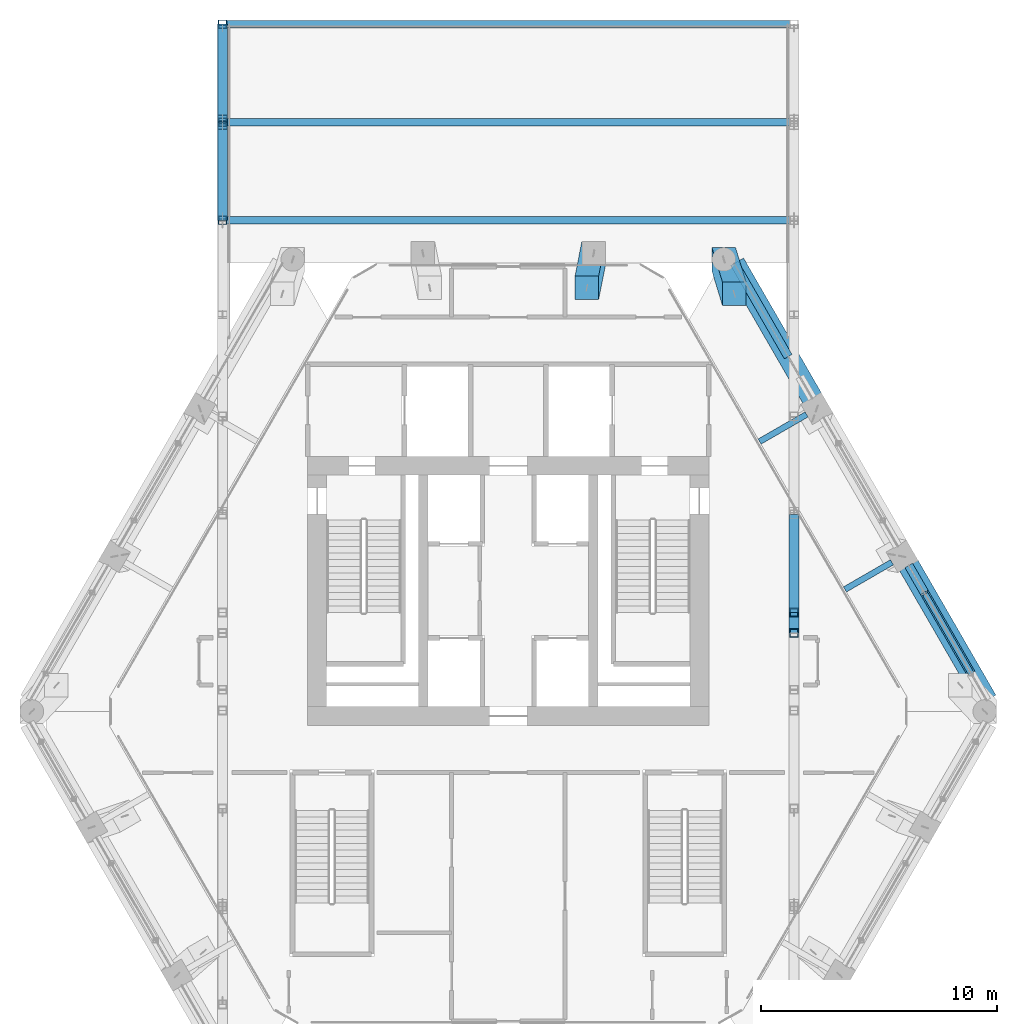
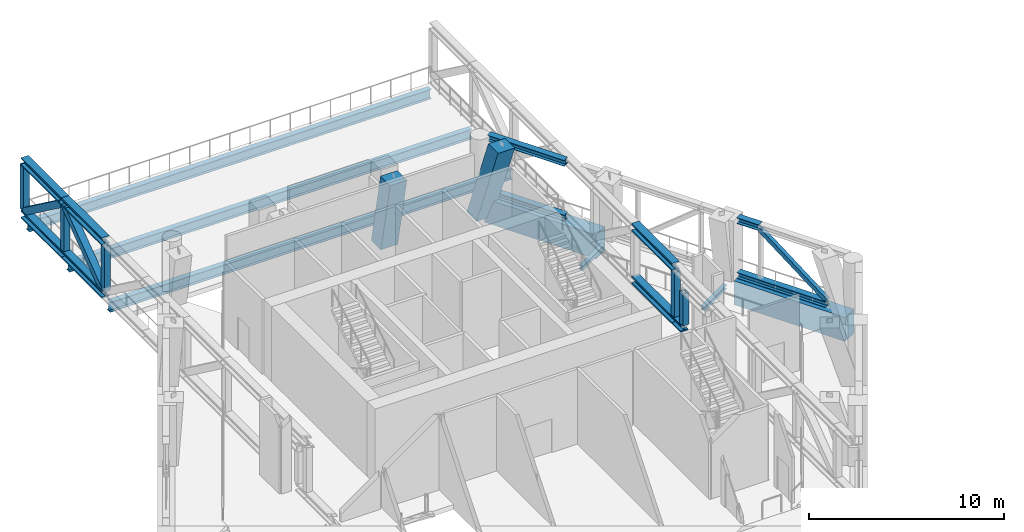
# One storey, part 7 of 22: 21 members, 7 beams.
"""IFC4 building model written with IfcOpenShell, lengths in metres."""

from ifc_helpers import new_model, si_unit, direction, frame, origin, origin_2d, place, context, subcontext, project, spatial, rectangle, hollow_rectangle, i_section, extrude, material, material_profile, profile_set, type_object, element, save


model = new_model("IFC4")

# Units and contexts
model_context = context("Model", 3, precision=1e-05, world=origin(), true_north=direction((0.0, 1.0)))
body_context = subcontext(model_context, "Body", "Model", "MODEL_VIEW")
ifc_project = project(units=[si_unit("LENGTHUNIT", "METRE"), si_unit("AREAUNIT", "SQUARE_METRE"), si_unit("VOLUMEUNIT", "CUBIC_METRE"), si_unit("PLANEANGLEUNIT", "RADIAN"), si_unit("MASSUNIT", "GRAM", prefix="KILO")], contexts=[model_context])

# Site, building, storey
site_placement = place(None, origin())
site = spatial("IfcSite", under=ifc_project, at=site_placement, CompositionType="ELEMENT")
building_placement = place(site_placement, origin())
building = spatial("IfcBuilding", under=site, at=building_placement, Name="Ostrander Bayou Hotel Tower", CompositionType="ELEMENT")
storey_placement = place(building_placement, frame((0.0, 0.0, 209.5)))
storey = spatial("IfcBuildingStorey", under=building, at=storey_placement, Name="L52", CompositionType="ELEMENT", Elevation=209.5)

# Members
ifc_material_1 = material(Name="Steel ASTM A992", Category="steel")
ifc_material_profile_1 = material_profile(ifc_material_1, i_section(OverallWidth=0.37255859375, OverallDepth=0.36767578125, WebThickness=0.014892578125, FlangeThickness=0.02392578125, at=origin_2d()))
ifc_profile_set_1 = profile_set([ifc_material_profile_1], Name="Steel ASTM A992")
member_type_1 = type_object("IfcMemberType", Name="BT5 belt truss chord W14x120", PredefinedType="CHORD", material=ifc_profile_set_1)
member_1_placement = place(storey_placement, frame((19.614501953125, 0.501220703125, 0.183837890625), z_axis=(-0.500014360914, 0.866017112348, 0.0), x_axis=(-0.866017112348, -0.500014360914, 0.0)))
element("IfcMember", 1, at=member_1_placement, inside=storey, type_object=member_type_1, Name="BT5 L52 NE-1B2", PredefinedType="CHORD", context=body_context, shape_type="SweptSolid", body=[
    extrude(i_section(OverallWidth=0.37255859375, OverallDepth=0.36767578125, WebThickness=0.014892578125, FlangeThickness=0.02392578125, at=origin_2d()), origin(), (0.0, 0.0, 1.0), 5.284912109375),
])
member_2_placement = place(storey_placement, frame((17.632568359375, 3.93408203125, 3.6162109375), z_axis=(-0.500074377092, 0.865982457891, 0.0), x_axis=(-0.865982457891, -0.500074377092, 0.0)))
element("IfcMember", 2, at=member_2_placement, inside=storey, type_object=member_type_1, Name="BT5 L52 NE-1T2", PredefinedType="CHORD", context=body_context, shape_type="SweptSolid", body=[
    extrude(i_section(OverallWidth=0.37255859375, OverallDepth=0.36767578125, WebThickness=0.014892578125, FlangeThickness=0.02392578125, at=origin_2d()), origin(), (0.0, 0.0, 1.0), 1.321044921875),
])
for number, where, z_axis, x_axis, name in (
    (3, (11.864013671875, 13.92529296875, 0.183837890625), (-0.499997018584, 0.866027125099, 0.0), (-0.866027125099, -0.499997018584, 0.0), "BT5 L52 NE-3B2"),
    (4, (11.864013671875, 13.92529296875, 3.6162109375), (-0.499997018584, 0.866027125099, 0.0), (-0.866027125099, -0.499997018584, 0.0), "BT5 L52 NE-3T2"),
):
    element("IfcMember", number, at=place(storey_placement, frame(where, z_axis=z_axis, x_axis=x_axis)), inside=storey, type_object=member_type_1, Name=name, PredefinedType="CHORD", context=body_context, shape_type="SweptSolid", body=[
        extrude(i_section(OverallWidth=0.37255859375, OverallDepth=0.36767578125, WebThickness=0.014892578125, FlangeThickness=0.02392578125, at=origin_2d()), origin(), (0.0, 0.0, 1.0), 4.56689453125),
    ])
ifc_material_2 = material(Name="Steel ASTM A500 Gr C", Category="steel")
ifc_material_profile_2 = material_profile(ifc_material_2, hollow_rectangle(XDim=0.25390625, YDim=0.25390625, WallThickness=0.01171875, at=origin_2d()))
ifc_profile_set_2 = profile_set([ifc_material_profile_2], Name="Steel ASTM A500 Gr C")
member_type_2 = type_object("IfcMemberType", Name="BT6 belt truss diagonal HSS10x10x1/2", PredefinedType="BRACE", material=ifc_profile_set_2)
member_3_placement = place(storey_placement, frame((19.614501953125, 0.501220703125, 0.367919921875), z_axis=(-0.395580757831, 0.685176279362, 0.611595724506), x_axis=(-0.866028661061, -0.499994358189, 0.0)))
element("IfcMember", 5, at=member_3_placement, inside=storey, type_object=member_type_2, Name="BT6 L52 NE-1D", PredefinedType="BRACE", context=body_context, shape_type="SweptSolid", body=[
    extrude(hollow_rectangle(XDim=0.25390625, YDim=0.25390625, WallThickness=0.01171875, at=origin_2d()), origin(), (0.0, 0.0, 1.0), 5.01025390625),
])
ifc_material_3 = material(Name="Concrete f'c 60 MPa", Category="concrete")
ifc_material_profile_3 = material_profile(ifc_material_3, rectangle(XDim=1.0, YDim=1.0, at=origin_2d()))
ifc_profile_set_3 = profile_set([ifc_material_profile_3], Name="Concrete f'c 60 MPa")
member_type_3 = type_object("IfcMemberType", Name="KC3 kinked column 1000 x 1000 mm f'c 60 MPa", PredefinedType="STRUT", material=ifc_profile_set_3)
member_4_placement = place(storey_placement, frame((9.133544921875, 18.04541015625, -1.199951171875), z_axis=(0.0, 0.0, 1.0), x_axis=(1.0, 0.0, 0.0)))
element("IfcMember", 6, at=member_4_placement, inside=storey, type_object=member_type_3, Name="KC3 L52 K5", PredefinedType="STRUT", context=body_context, shape_type="SweptSolid", body=[
    extrude(rectangle(XDim=1.0, YDim=1.0, at=origin_2d()), origin(), (0.084917990459, -0.278715978587, 0.956611905726), 5.226806640625),
])
member_5_placement = place(storey_placement, frame((3.6181640625, 18.300048828125, -1.199951171875), z_axis=(0.0, 0.0, 1.0), x_axis=(1.0, 0.0, 0.0)))
element("IfcMember", 7, at=member_5_placement, inside=storey, type_object=member_type_3, Name="KC3 L52 N1", PredefinedType="STRUT", context=body_context, shape_type="SweptSolid", body=[
    extrude(rectangle(XDim=1.0, YDim=1.0, at=origin_2d()), origin(), (-0.05539287953, -0.278088175427, 0.958957035317), 5.214111328125),
])

# Beams
ifc_material_4 = material(Name="Steel ASTM A992", Category="steel")
ifc_material_profile_4 = material_profile(ifc_material_4, i_section(OverallWidth=0.25390625, OverallDepth=0.25341796875, WebThickness=0.008544921875, FlangeThickness=0.01416015625, at=origin_2d()))
ifc_profile_set_4 = profile_set([ifc_material_profile_4], Name="Steel ASTM A992")
beam_type_1 = type_object("IfcBeamType", Name="LB2 loggia bracket W10x49", PredefinedType="BEAM", material=ifc_profile_set_4)
beam_1_placement = place(storey_placement, frame((16.260498046875, 5.210205078125, -0.4267578125), z_axis=(-0.86602648383, -0.499998129301, 0.0), x_axis=(0.499998129301, -0.86602648383, 0.0)))
element("IfcBeam", 8, at=beam_1_placement, inside=storey, type_object=beam_type_1, Name="LB2 L52 NE1", PredefinedType="BEAM", context=body_context, shape_type="SweptSolid", body=[
    extrude(i_section(OverallWidth=0.25390625, OverallDepth=0.25341796875, WebThickness=0.008544921875, FlangeThickness=0.01416015625, at=origin_2d()), origin(), (0.0, 0.0, 1.0), 2.2998046875),
])
beam_2_placement = place(storey_placement, frame((12.642578125, 11.476806640625, -0.4267578125), z_axis=(-0.866053019151, -0.499952165731, 0.0), x_axis=(0.499952165731, -0.866053019151, 0.0)))
element("IfcBeam", 9, at=beam_2_placement, inside=storey, type_object=beam_type_1, Name="LB2 L52 NE2", PredefinedType="BEAM", context=body_context, shape_type="SweptSolid", body=[
    extrude(i_section(OverallWidth=0.25390625, OverallDepth=0.25341796875, WebThickness=0.008544921875, FlangeThickness=0.01416015625, at=origin_2d()), origin(), (0.0, 0.0, 1.0), 2.300048828125),
])
ifc_material_5 = material(Name="Concrete f'c 60 MPa", Category="concrete")
ifc_material_profile_5 = material_profile(ifc_material_5, rectangle(XDim=0.89990234375, YDim=1.5, at=origin_2d()))
ifc_profile_set_5 = profile_set([ifc_material_profile_5], Name="Concrete f'c 60 MPa")
beam_type_2 = type_object("IfcBeamType", Name="SPB3 belt spandrel beam 900 x 1500 mm f'c 60 MPa", PredefinedType="SPANDREL", material=ifc_profile_set_5)
beam_3_placement = place(storey_placement, frame((20.275146484375, -0.64306640625, -0.75), z_axis=(-0.500010360262, 0.866019422202, 0.0), x_axis=(-0.866019422202, -0.500010360262, 0.0)))
element("IfcBeam", 10, at=beam_3_placement, inside=storey, type_object=beam_type_2, Name="SP3 L52 NE-1", PredefinedType="SPANDREL", context=body_context, shape_type="SweptSolid", body=[
    extrude(rectangle(XDim=0.89990234375, YDim=1.5, at=origin_2d()), origin(), (0.0, 0.0, 1.0), 6.606201171875),
])
beam_4_placement = place(storey_placement, frame((12.8837890625, 12.158935546875, -0.75), z_axis=(-0.499994358189, 0.866028661061, 0.0), x_axis=(-0.866028661061, -0.499994358189, 0.0)))
element("IfcBeam", 11, at=beam_4_placement, inside=storey, type_object=beam_type_2, Name="SP3 L52 NE-3", PredefinedType="SPANDREL", context=body_context, shape_type="SweptSolid", body=[
    extrude(rectangle(XDim=0.89990234375, YDim=1.5, at=origin_2d()), origin(), (0.0, 0.0, 1.0), 6.6064453125),
])
ifc_material_6 = material(Name="Steel ASTM A992", Category="steel")
ifc_material_profile_6 = material_profile(ifc_material_6, i_section(OverallWidth=0.32373046875, OverallDepth=0.611083984375, WebThickness=0.0126953125, FlangeThickness=0.01904296875, at=origin_2d()))
ifc_profile_set_6 = profile_set([ifc_material_profile_6], Name="Steel ASTM A992")
beam_type_3 = type_object("IfcBeamType", Name="TF2 bar floor beam W24x104", PredefinedType="BEAM", material=ifc_profile_set_6)
for number, where, z_axis, x_axis, name in (
    (12, (-11.93212890625, 28.01611328125, -0.605712890625), (1.0, 0.0, 0.0), (0.0, 1.0, 0.0), "TF2 SB4W L5-1"),
    (13, (-11.93212890625, 23.861328125, -0.605712890625), (1.0, 0.0, 0.0), (0.0, 1.0, 0.0), "TF2 SB4W L5-2"),
    (14, (-11.93212890625, 19.706787109375, -0.605712890625), (1.0, 0.0, 0.0), (0.0, 1.0, 0.0), "TF2 SB4W L5-3"),
):
    element("IfcBeam", number, at=place(storey_placement, frame(where, z_axis=z_axis, x_axis=x_axis)), inside=storey, type_object=beam_type_3, Name=name, PredefinedType="BEAM", context=body_context, shape_type="SweptSolid", body=[
        extrude(i_section(OverallWidth=0.32373046875, OverallDepth=0.611083984375, WebThickness=0.0126953125, FlangeThickness=0.01904296875, at=origin_2d()), origin(), (0.0, 0.0, 1.0), 23.8642578125),
    ])

# Members
ifc_material_7 = material(Name="Steel ASTM A992", Category="steel")
ifc_material_profile_7 = material_profile(ifc_material_7, i_section(OverallWidth=0.43212890625, OverallDepth=0.497802734375, WebThickness=0.0556640625, FlangeThickness=0.0888671875, at=origin_2d()))
ifc_profile_set_7 = profile_set([ifc_material_profile_7], Name="Steel ASTM A992")
member_type_4 = type_object("IfcMemberType", Name="TT1 through-truss chord W14x500", PredefinedType="CHORD", material=ifc_profile_set_7)
for number, where, z_axis, x_axis, name in (
    (15, (-12.110107421875, 28.01611328125, 0.248779296875), (0.0, -1.0, 0.0), (1.0, 0.0, 0.0), "TT1 SB4A B1"),
    (16, (-12.110107421875, 28.01611328125, 3.551025390625), (0.0, -1.0, 0.0), (1.0, 0.0, 0.0), "TT1 SB4A T1"),
):
    element("IfcMember", number, at=place(storey_placement, frame(where, z_axis=z_axis, x_axis=x_axis)), inside=storey, type_object=member_type_4, Name=name, PredefinedType="CHORD", context=body_context, shape_type="SweptSolid", body=[
        extrude(i_section(OverallWidth=0.43212890625, OverallDepth=0.497802734375, WebThickness=0.0556640625, FlangeThickness=0.0888671875, at=origin_2d()), origin(), (0.0, 0.0, 1.0), 4.15478515625),
    ])
for number, where, z_axis, x_axis, name in (
    (17, (-12.110107421875, 23.861328125, 0.248779296875), (0.0, -1.0, 0.0), (1.0, 0.0, 0.0), "TT1 SB4A B2"),
    (18, (-12.110107421875, 23.861328125, 3.551025390625), (0.0, -1.0, 0.0), (1.0, 0.0, 0.0), "TT1 SB4A T2"),
    (19, (12.110107421875, 7.242431640625, 0.248779296875), (0.0, -1.0, 0.0), (1.0, 0.0, 0.0), "TT1 SB4B B6"),
    (20, (12.110107421875, 7.242431640625, 3.551025390625), (0.0, -1.0, 0.0), (1.0, 0.0, 0.0), "TT1 SB4B T6"),
):
    element("IfcMember", number, at=place(storey_placement, frame(where, z_axis=z_axis, x_axis=x_axis)), inside=storey, type_object=member_type_4, Name=name, PredefinedType="CHORD", context=body_context, shape_type="SweptSolid", body=[
        extrude(i_section(OverallWidth=0.43212890625, OverallDepth=0.497802734375, WebThickness=0.0556640625, FlangeThickness=0.0888671875, at=origin_2d()), origin(), (0.0, 0.0, 1.0), 4.154541015625),
    ])
member_6_placement = place(storey_placement, frame((12.110107421875, 3.087890625, 0.248779296875), z_axis=(0.0, -1.0, 0.0), x_axis=(1.0, 0.0, 0.0)))
element("IfcMember", 21, at=member_6_placement, inside=storey, type_object=member_type_4, Name="TT1 SB4B B7", PredefinedType="CHORD", context=body_context, shape_type="SweptSolid", body=[
    extrude(i_section(OverallWidth=0.43212890625, OverallDepth=0.497802734375, WebThickness=0.0556640625, FlangeThickness=0.0888671875, at=origin_2d()), origin(), (0.0, 0.0, 1.0), 0.87744140625),
])
ifc_material_8 = material(Name="Steel ASTM A500 Gr C", Category="steel")
ifc_material_profile_8 = material_profile(ifc_material_8, hollow_rectangle(XDim=0.355712890625, YDim=0.355712890625, WallThickness=0.0146484375, at=origin_2d()))
ifc_profile_set_8 = profile_set([ifc_material_profile_8], Name="Steel ASTM A500 Gr C")
member_type_5 = type_object("IfcMemberType", Name="TT2 through-truss post HSS14x14x5/8", PredefinedType="POST", material=ifc_profile_set_8)
for number, where, z_axis, x_axis, name in (
    (22, (-12.110107421875, 28.01611328125, 0.497802734375), (0.0, 0.0, 1.0), (1.0, 0.0, 0.0), "TT2 SB4A P1"),
    (23, (-12.110107421875, 23.861328125, 0.497802734375), (0.0, 0.0, 1.0), (1.0, 0.0, 0.0), "TT2 SB4A P2"),
    (24, (-12.110107421875, 19.706787109375, 0.497802734375), (0.0, 0.0, 1.0), (1.0, 0.0, 0.0), "TT2 SB4A P3"),
    (25, (12.110107421875, 3.087890625, 0.497802734375), (0.0, 0.0, 1.0), (1.0, 0.0, 0.0), "TT2 SB4B P7"),
):
    element("IfcMember", number, at=place(storey_placement, frame(where, z_axis=z_axis, x_axis=x_axis)), inside=storey, type_object=member_type_5, Name=name, PredefinedType="POST", context=body_context, shape_type="SweptSolid", body=[
        extrude(hollow_rectangle(XDim=0.355712890625, YDim=0.355712890625, WallThickness=0.0146484375, at=origin_2d()), origin(), (0.0, 0.0, 1.0), 2.804443359375),
    ])
member_7_placement = place(storey_placement, frame((12.110107421875, 2.21044921875, 0.497802734375), z_axis=(0.0, 0.0, 1.0), x_axis=(1.0, 0.0, 0.0)))
element("IfcMember", 26, at=member_7_placement, inside=storey, type_object=member_type_5, Name="TT2 SB4B KN7a", PredefinedType="POST", context=body_context, shape_type="SweptSolid", body=[
    extrude(hollow_rectangle(XDim=0.355712890625, YDim=0.355712890625, WallThickness=0.0146484375, at=origin_2d()), origin(), (0.0, 0.0, 1.0), 2.002197265625),
])
ifc_material_9 = material(Name="Steel ASTM A572 Gr 50", Category="steel")
ifc_material_profile_9 = material_profile(ifc_material_9, hollow_rectangle(XDim=0.406494140625, YDim=0.406494140625, WallThickness=0.017822265625, at=origin_2d()))
ifc_profile_set_9 = profile_set([ifc_material_profile_9], Name="Steel ASTM A572 Gr 50")
member_type_6 = type_object("IfcMemberType", Name="TT3 through-truss diagonal box 16 x 16 x 3/4", PredefinedType="BRACE", material=ifc_profile_set_9)
for number, where, z_axis, x_axis, name in (
    (27, (-12.110107421875, 27.83837890625, 0.497802734375), (0.0, -0.804537023237, 0.593902498935), (1.0, 0.0, 0.0), "TT3 SB4A D1"),
    (28, (-12.110107421875, 19.884521484375, 0.497802734375), (0.0, 0.804537023237, 0.593902498935), (-1.0, 0.0, 0.0), "TT3 SB4A D2"),
):
    element("IfcMember", number, at=place(storey_placement, frame(where, z_axis=z_axis, x_axis=x_axis)), inside=storey, type_object=member_type_6, Name=name, PredefinedType="BRACE", context=body_context, shape_type="SweptSolid", body=[
        extrude(hollow_rectangle(XDim=0.406494140625, YDim=0.406494140625, WallThickness=0.017822265625, at=origin_2d()), origin(), (0.0, 0.0, 1.0), 4.72216796875),
    ])

save(model, "model.ifc")
